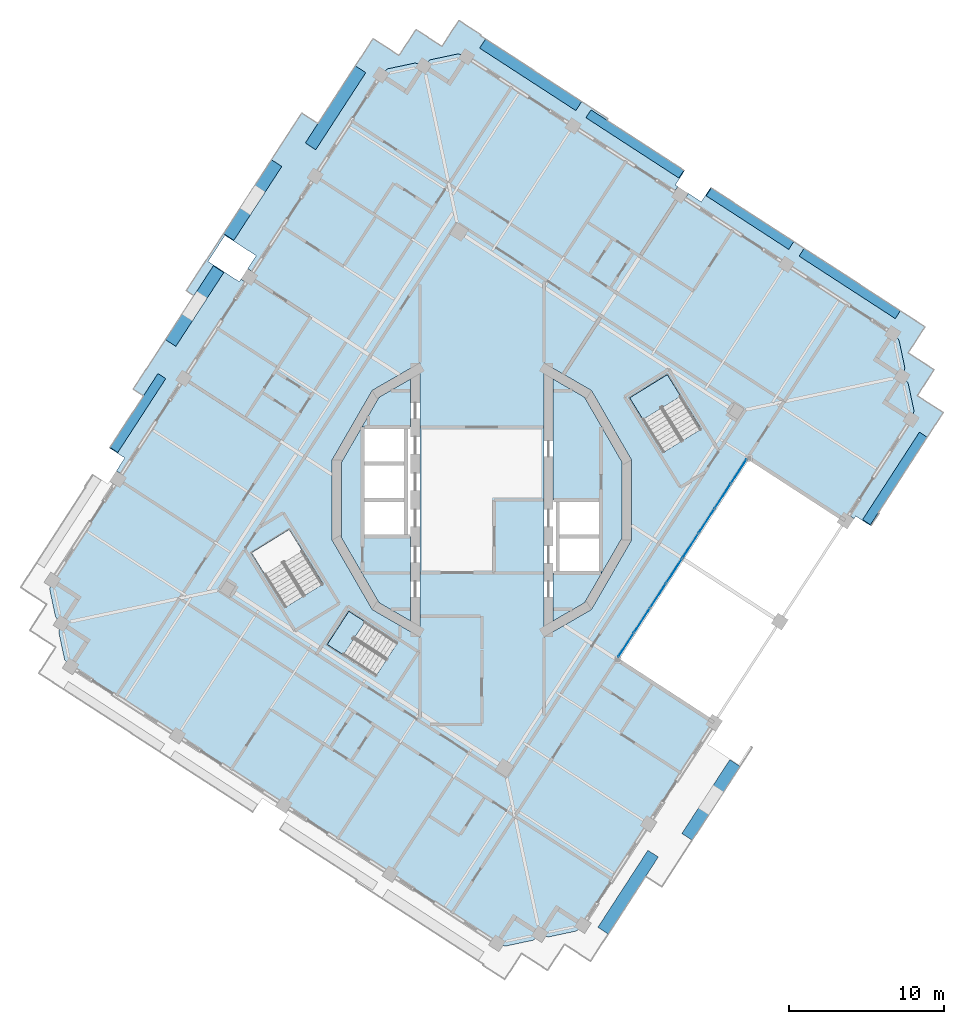
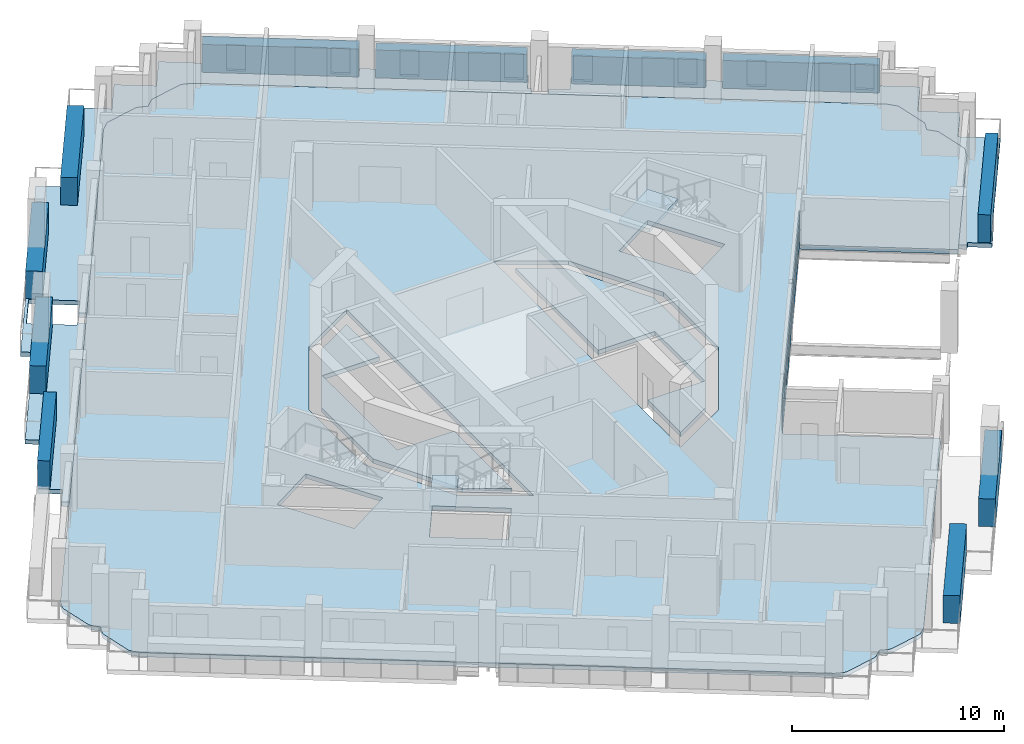
# One storey, part 4 of 17: 27 plates, 7 slabs, 3 elements without a shape of their own.
"""IFC4 building model written with IfcOpenShell, lengths in metres."""

from ifc_helpers import new_model, si_unit, direction, frame, origin, origin_2d, place, context, subcontext, project, spatial, polyline, rectangle, outline, extrude, material, layer, layer_set, type_object, element, aggregate, save


model = new_model("IFC4")

# Units and contexts
model_context = context("Model", 3, precision=1e-05, world=origin(), true_north=direction((0.0, 1.0)))
body_context = subcontext(model_context, "Body", "Model", "MODEL_VIEW")
ifc_project = project(units=[si_unit("LENGTHUNIT", "METRE"), si_unit("AREAUNIT", "SQUARE_METRE"), si_unit("VOLUMEUNIT", "CUBIC_METRE"), si_unit("PLANEANGLEUNIT", "RADIAN"), si_unit("MASSUNIT", "GRAM", prefix="KILO")], contexts=[model_context])

# Site, building, storey
site_placement = place(None, origin())
site = spatial("IfcSite", under=ifc_project, at=site_placement, CompositionType="ELEMENT")
building_placement = place(site_placement, origin())
building = spatial("IfcBuilding", under=site, at=building_placement, Name="Cantera Rosa Tower", CompositionType="ELEMENT")
storey_placement = place(building_placement, frame((0.0, 0.0, 264.89990234375)))
storey = spatial("IfcBuildingStorey", under=building, at=storey_placement, Name="L59", CompositionType="ELEMENT", Elevation=264.89990234375)

# Slabs
ifc_material_1 = material(Name="Concrete C35/45", Category="concrete")
ifc_layer_1 = layer(ifc_material_1, 0.25)
ifc_layer_set_1 = layer_set([ifc_layer_1], Name="COMPOSITE FLOOR SLAB 250 C35/45")
slab_type_1 = type_object("IfcSlabType", Name="COMPOSITE FLOOR SLAB 250 C35/45", PredefinedType="FLOOR", material=ifc_layer_set_1)
slab_1_placement = place(storey_placement, frame((0.0, 0.0, -0.25)))
element("IfcSlab", 1, at=slab_1_placement, inside=storey, type_object=slab_type_1, Name="SLAB L59 floor 1", PredefinedType="FLOOR", context=body_context, shape_type="SweptSolid", body=[
    extrude(outline(polyline([(-7.699951171875, -2.35009765625), (-4.60009765625, -2.35009765625), (-4.60009765625, -7.804931640625), (-6.6318359375, -6.6318359375), (-9.059326171875, -2.427490234375), (-9.059326171875, 2.427490234375), (-6.6318359375, 6.6318359375), (-4.60009765625, 7.804931640625), (-4.60009765625, 4.699951171875), (-7.699951171875, 4.699951171875), (-7.699951171875, 2.35009765625), (-7.699951171875, 0.0), (-7.699951171875, -2.35009765625)])), origin(), (0.0, 0.0, 1.0), 0.25),
])
slab_2_placement = place(storey_placement, frame((0.0, 0.0, -0.25)))
element("IfcSlab", 2, at=slab_2_placement, inside=storey, type_object=slab_type_1, Name="SLAB L59 floor 2", PredefinedType="FLOOR", context=body_context, shape_type="SweptSolid", body=[
    extrude(outline(polyline([(0.982421875, -28.598876953125), (0.106689453125, -28.030029296875), (-25.650146484375, -11.303466796875), (-26.52587890625, -10.734619140625), (-26.852783203125, -10.396240234375), (-26.873046875, -10.374755859375), (-26.890869140625, -10.351318359375), (-26.90625, -10.326416015625), (-26.919189453125, -10.2998046875), (-26.929443359375, -10.272216796875), (-26.93701171875, -10.243896484375), (-27.289794921875, -8.583740234375), (-27.294677734375, -8.5546875), (-27.29638671875, -8.525390625), (-27.29541015625, -8.49609375), (-27.29150390625, -8.466796875), (-27.28466796875, -8.43798828125), (-27.275146484375, -8.410400390625), (-27.114013671875, -7.968017578125), (-27.44091796875, -7.629638671875), (-27.461181640625, -7.608154296875), (-27.47900390625, -7.584716796875), (-27.494384765625, -7.559814453125), (-27.50732421875, -7.533203125), (-27.517578125, -7.505615234375), (-27.525146484375, -7.477294921875), (-27.8779296875, -5.817138671875), (-27.882568359375, -5.7880859375), (-27.884521484375, -5.7587890625), (-27.88330078125, -5.729248046875), (-27.87939453125, -5.7001953125), (-27.872802734375, -5.67138671875), (-27.863037109375, -5.643798828125), (-27.7021484375, -5.201416015625), (-27.13330078125, -4.32568359375), (-7.08447265625, 26.547119140625), (-6.515625, 27.4228515625), (-6.17724609375, 27.749755859375), (-6.15576171875, 27.769775390625), (-6.132080078125, 27.78759765625), (-6.107177734375, 27.802978515625), (-6.080810546875, 27.81591796875), (-6.05322265625, 27.826416015625), (-6.024658203125, 27.833740234375), (-4.36474609375, 28.186767578125), (-4.335693359375, 28.19140625), (-4.306396484375, 28.193115234375), (-4.27685546875, 28.192138671875), (-4.247802734375, 28.188232421875), (-4.218994140625, 28.181396484375), (-4.191162109375, 28.171875), (-3.7490234375, 28.0107421875), (-3.41064453125, 28.337890625), (-3.388916015625, 28.35791015625), (-3.365478515625, 28.375732421875), (-3.340576171875, 28.39111328125), (-3.314208984375, 28.404052734375), (-3.28662109375, 28.414306640625), (-3.258056640625, 28.421875), (-1.59814453125, 28.774658203125), (-1.569091796875, 28.779296875), (-1.539794921875, 28.78125), (-1.51025390625, 28.7802734375), (-1.481201171875, 28.7763671875), (-1.452392578125, 28.76953125), (-1.424560546875, 28.760009765625), (-0.982421875, 28.598876953125), (-0.106689453125, 28.030029296875), (25.650146484375, 11.303466796875), (26.52587890625, 10.734619140625), (26.852783203125, 10.396240234375), (26.873046875, 10.374755859375), (26.890869140625, 10.351318359375), (26.90625, 10.326416015625), (26.919189453125, 10.2998046875), (26.929443359375, 10.272216796875), (26.93701171875, 10.243896484375), (27.289794921875, 8.583740234375), (27.294677734375, 8.5546875), (27.29638671875, 8.525390625), (27.29541015625, 8.49609375), (27.29150390625, 8.466796875), (27.28466796875, 8.43798828125), (27.275146484375, 8.410400390625), (27.114013671875, 7.968017578125), (27.44091796875, 7.629638671875), (27.461181640625, 7.608154296875), (27.47900390625, 7.584716796875), (27.494384765625, 7.559814453125), (27.50732421875, 7.533203125), (27.517578125, 7.505615234375), (27.525146484375, 7.477294921875), (27.8779296875, 5.817138671875), (27.882568359375, 5.7880859375), (27.884521484375, 5.7587890625), (27.88330078125, 5.729248046875), (27.87939453125, 5.7001953125), (27.872802734375, 5.67138671875), (27.863037109375, 5.643798828125), (27.7021484375, 5.201416015625), (27.13330078125, 4.32568359375), (23.46484375, -1.323486328125), (17.1748046875, 2.761474609375), (8.7001953125, -10.288330078125), (14.990234375, -14.373046875), (7.08447265625, -26.547119140625), (6.515625, -27.4228515625), (6.17724609375, -27.749755859375), (6.15576171875, -27.769775390625), (6.132080078125, -27.78759765625), (6.107177734375, -27.802978515625), (6.080810546875, -27.81591796875), (6.05322265625, -27.826416015625), (6.024658203125, -27.833740234375), (4.36474609375, -28.186767578125), (4.335693359375, -28.19140625), (4.306396484375, -28.193115234375), (4.27685546875, -28.192138671875), (4.247802734375, -28.188232421875), (4.218994140625, -28.181396484375), (4.191162109375, -28.171875), (3.7490234375, -28.0107421875), (3.41064453125, -28.337890625), (3.388916015625, -28.35791015625), (3.365478515625, -28.375732421875), (3.340576171875, -28.39111328125), (3.314208984375, -28.404052734375), (3.28662109375, -28.414306640625), (3.258056640625, -28.421875), (1.59814453125, -28.774658203125), (1.569091796875, -28.779296875), (1.539794921875, -28.78125), (1.51025390625, -28.7802734375), (1.481201171875, -28.7763671875), (1.452392578125, -28.76953125), (1.424560546875, -28.760009765625), (0.982421875, -28.598876953125)]), holes=[polyline([(-8.581298828125, -7.1826171875), (-9.97021484375, -9.3212890625), (-6.835205078125, -11.357177734375), (-5.4462890625, -9.218505859375), (-8.581298828125, -7.1826171875)]), polyline([(-12.430908203125, -1.911376953125), (-14.8564453125, -3.407470703125), (-12.68408203125, -6.929443359375), (-10.258544921875, -5.433349609375), (-12.430908203125, -1.911376953125)]), polyline([(-7.071044921875, 7.071044921875), (-9.6591796875, 2.588134765625), (-9.6591796875, -2.588134765625), (-7.071044921875, -7.071044921875), (-4.0, -8.843994140625), (-4.0, 8.843994140625), (-7.071044921875, 7.071044921875)]), polyline([(7.071044921875, -7.071044921875), (9.6591796875, -2.588134765625), (9.6591796875, 2.588134765625), (7.071044921875, 7.071044921875), (4.0, 8.843994140625), (4.0, -8.843994140625), (7.071044921875, -7.071044921875)]), polyline([(14.1416015625, 4.566650390625), (11.96923828125, 8.088623046875), (9.54345703125, 6.592529296875), (11.7158203125, 3.070556640625), (14.1416015625, 4.566650390625)])]), origin(), (0.0, 0.0, 1.0), 0.25),
])
slab_3_placement = place(storey_placement, frame((0.0, 0.0, -0.25)))
element("IfcSlab", 3, at=slab_3_placement, inside=storey, type_object=slab_type_1, Name="SLAB L59 floor 3", PredefinedType="FLOOR", context=body_context, shape_type="SweptSolid", body=[
    extrude(outline(polyline([(7.699951171875, 0.0), (4.60009765625, 0.0), (4.60009765625, 7.804931640625), (6.6318359375, 6.6318359375), (9.059326171875, 2.427490234375), (9.059326171875, -2.427490234375), (6.6318359375, -6.6318359375), (4.60009765625, -7.804931640625), (4.60009765625, -4.699951171875), (7.699951171875, -4.699951171875), (7.699951171875, -2.35009765625), (7.699951171875, 0.0)])), origin(), (0.0, 0.0, 1.0), 0.25),
])

# Curtain wall, plates
ifc_material_2 = material(Name="Aluminium frame with clear glass", Category="aluminium")
curtain_wall_type = type_object("IfcCurtainWallType", Name="CW1 TERRACE POCKET GLAZING", PredefinedType="NOTDEFINED", material=ifc_material_2)
curtain_wall_placement = place(storey_placement, origin())
curtain_wall = element("IfcCurtainWall", 4, at=curtain_wall_placement, inside=storey, type_object=curtain_wall_type, Name="CW1 CW1", PredefinedType="NOTDEFINED")
ifc_material_3 = material(Name="Aluminium frame with clear glass", Category="aluminium")
ifc_layer_2 = layer(ifc_material_3, 0.028076171875)
ifc_layer_set_2 = layer_set([ifc_layer_2], Name="CW-PANEL POCKET")
plate_type_1 = type_object("IfcPlateType", Name="CW-PANEL POCKET", PredefinedType="CURTAIN_PANEL", material=ifc_layer_set_2)
plate_1_placement = place(storey_placement, frame((9.297607421875, -9.368408203125, 0.06005859375), z_axis=(0.0, 0.0, 1.0), x_axis=(0.544639035015, 0.838670567945, 0.0)))
plate_1 = element("IfcPlate", 5, at=plate_1_placement, type_object=plate_type_1, Name="CW1 panel 1.1", PredefinedType="CURTAIN_PANEL", context=body_context, shape_type="SweptSolid", body=[
    extrude(rectangle(XDim=1.82373046875, YDim=0.028076171875, at=origin_2d()), origin(), (0.0, 0.0, 1.0), 0.97412109375),
])
plate_2_placement = place(storey_placement, frame((9.297607421875, -9.368408203125, 1.093994140625), z_axis=(0.0, 0.0, 1.0), x_axis=(0.544639035015, 0.838670567945, 0.0)))
plate_2 = element("IfcPlate", 6, at=plate_2_placement, type_object=plate_type_1, Name="CW1 panel 1.2", PredefinedType="CURTAIN_PANEL", context=body_context, shape_type="SweptSolid", body=[
    extrude(rectangle(XDim=1.82373046875, YDim=0.028076171875, at=origin_2d()), origin(), (0.0, 0.0, 1.0), 0.97412109375),
])
plate_3_placement = place(storey_placement, frame((10.331787109375, -7.77587890625, 0.06005859375), z_axis=(0.0, 0.0, 1.0), x_axis=(0.544639035015, 0.838670567945, 0.0)))
plate_3 = element("IfcPlate", 7, at=plate_3_placement, type_object=plate_type_1, Name="CW1 panel 2.1", PredefinedType="CURTAIN_PANEL", context=body_context, shape_type="SweptSolid", body=[
    extrude(rectangle(XDim=1.853759765625, YDim=0.028076171875, at=origin_2d()), origin(), (0.0, 0.0, 1.0), 0.97412109375),
])
plate_4_placement = place(storey_placement, frame((10.331787109375, -7.77587890625, 1.093994140625), z_axis=(0.0, 0.0, 1.0), x_axis=(0.544639035015, 0.838670567945, 0.0)))
plate_4 = element("IfcPlate", 8, at=plate_4_placement, type_object=plate_type_1, Name="CW1 panel 2.2", PredefinedType="CURTAIN_PANEL", context=body_context, shape_type="SweptSolid", body=[
    extrude(rectangle(XDim=1.853759765625, YDim=0.028076171875, at=origin_2d()), origin(), (0.0, 0.0, 1.0), 0.97412109375),
])
plate_5_placement = place(storey_placement, frame((11.3740234375, -6.1708984375, 0.06005859375), z_axis=(0.0, 0.0, 1.0), x_axis=(0.544639035015, 0.838670567945, 0.0)))
plate_5 = element("IfcPlate", 9, at=plate_5_placement, type_object=plate_type_1, Name="CW1 panel 3.1", PredefinedType="CURTAIN_PANEL", context=body_context, shape_type="SweptSolid", body=[
    extrude(rectangle(XDim=1.853759765625, YDim=0.028076171875, at=origin_2d()), origin(), (0.0, 0.0, 1.0), 0.97412109375),
])
plate_6_placement = place(storey_placement, frame((11.3740234375, -6.1708984375, 1.093994140625), z_axis=(0.0, 0.0, 1.0), x_axis=(0.544639035015, 0.838670567945, 0.0)))
plate_6 = element("IfcPlate", 10, at=plate_6_placement, type_object=plate_type_1, Name="CW1 panel 3.2", PredefinedType="CURTAIN_PANEL", context=body_context, shape_type="SweptSolid", body=[
    extrude(rectangle(XDim=1.853759765625, YDim=0.028076171875, at=origin_2d()), origin(), (0.0, 0.0, 1.0), 0.97412109375),
])
plate_7_placement = place(storey_placement, frame((12.416259765625, -4.56591796875, 0.06005859375), z_axis=(0.0, 0.0, 1.0), x_axis=(0.544639035015, 0.838670567945, 0.0)))
plate_7 = element("IfcPlate", 11, at=plate_7_placement, type_object=plate_type_1, Name="CW1 panel 4.1", PredefinedType="CURTAIN_PANEL", context=body_context, shape_type="SweptSolid", body=[
    extrude(rectangle(XDim=1.853759765625, YDim=0.028076171875, at=origin_2d()), origin(), (0.0, 0.0, 1.0), 0.97412109375),
])
plate_8_placement = place(storey_placement, frame((12.416259765625, -4.56591796875, 1.093994140625), z_axis=(0.0, 0.0, 1.0), x_axis=(0.544639035015, 0.838670567945, 0.0)))
plate_8 = element("IfcPlate", 12, at=plate_8_placement, type_object=plate_type_1, Name="CW1 panel 4.2", PredefinedType="CURTAIN_PANEL", context=body_context, shape_type="SweptSolid", body=[
    extrude(rectangle(XDim=1.853759765625, YDim=0.028076171875, at=origin_2d()), origin(), (0.0, 0.0, 1.0), 0.97412109375),
])
plate_9_placement = place(storey_placement, frame((13.458740234375, -2.9609375, 0.06005859375), z_axis=(0.0, 0.0, 1.0), x_axis=(0.544639035015, 0.838670567945, 0.0)))
plate_9 = element("IfcPlate", 13, at=plate_9_placement, type_object=plate_type_1, Name="CW1 panel 5.1", PredefinedType="CURTAIN_PANEL", context=body_context, shape_type="SweptSolid", body=[
    extrude(rectangle(XDim=1.853759765625, YDim=0.028076171875, at=origin_2d()), origin(), (0.0, 0.0, 1.0), 0.97412109375),
])
plate_10_placement = place(storey_placement, frame((13.458740234375, -2.9609375, 1.093994140625), z_axis=(0.0, 0.0, 1.0), x_axis=(0.544639035015, 0.838670567945, 0.0)))
plate_10 = element("IfcPlate", 14, at=plate_10_placement, type_object=plate_type_1, Name="CW1 panel 5.2", PredefinedType="CURTAIN_PANEL", context=body_context, shape_type="SweptSolid", body=[
    extrude(rectangle(XDim=1.853759765625, YDim=0.028076171875, at=origin_2d()), origin(), (0.0, 0.0, 1.0), 0.97412109375),
])
plate_11_placement = place(storey_placement, frame((14.5009765625, -1.35595703125, 0.06005859375), z_axis=(0.0, 0.0, 1.0), x_axis=(0.544639035015, 0.838670567945, 0.0)))
plate_11 = element("IfcPlate", 15, at=plate_11_placement, type_object=plate_type_1, Name="CW1 panel 6.1", PredefinedType="CURTAIN_PANEL", context=body_context, shape_type="SweptSolid", body=[
    extrude(rectangle(XDim=1.853759765625, YDim=0.028076171875, at=origin_2d()), origin(), (0.0, 0.0, 1.0), 0.97412109375),
])
plate_12_placement = place(storey_placement, frame((14.5009765625, -1.35595703125, 1.093994140625), z_axis=(0.0, 0.0, 1.0), x_axis=(0.544639035015, 0.838670567945, 0.0)))
plate_12 = element("IfcPlate", 16, at=plate_12_placement, type_object=plate_type_1, Name="CW1 panel 6.2", PredefinedType="CURTAIN_PANEL", context=body_context, shape_type="SweptSolid", body=[
    extrude(rectangle(XDim=1.853759765625, YDim=0.028076171875, at=origin_2d()), origin(), (0.0, 0.0, 1.0), 0.97412109375),
])
plate_13_placement = place(storey_placement, frame((15.543212890625, 0.2490234375, 0.06005859375), z_axis=(0.0, 0.0, 1.0), x_axis=(0.544639035015, 0.838670567945, 0.0)))
plate_13 = element("IfcPlate", 17, at=plate_13_placement, type_object=plate_type_1, Name="CW1 panel 7.1", PredefinedType="CURTAIN_PANEL", context=body_context, shape_type="SweptSolid", body=[
    extrude(rectangle(XDim=1.853759765625, YDim=0.028076171875, at=origin_2d()), origin(), (0.0, 0.0, 1.0), 0.97412109375),
])
plate_14_placement = place(storey_placement, frame((15.543212890625, 0.2490234375, 1.093994140625), z_axis=(0.0, 0.0, 1.0), x_axis=(0.544639035015, 0.838670567945, 0.0)))
plate_14 = element("IfcPlate", 18, at=plate_14_placement, type_object=plate_type_1, Name="CW1 panel 7.2", PredefinedType="CURTAIN_PANEL", context=body_context, shape_type="SweptSolid", body=[
    extrude(rectangle(XDim=1.853759765625, YDim=0.028076171875, at=origin_2d()), origin(), (0.0, 0.0, 1.0), 0.97412109375),
])
plate_15_placement = place(storey_placement, frame((16.577392578125, 1.841552734375, 0.06005859375), z_axis=(0.0, 0.0, 1.0), x_axis=(0.544639035015, 0.838670567945, 0.0)))
plate_15 = element("IfcPlate", 19, at=plate_15_placement, type_object=plate_type_1, Name="CW1 panel 8.1", PredefinedType="CURTAIN_PANEL", context=body_context, shape_type="SweptSolid", body=[
    extrude(rectangle(XDim=1.82373046875, YDim=0.028076171875, at=origin_2d()), origin(), (0.0, 0.0, 1.0), 0.97412109375),
])
plate_16_placement = place(storey_placement, frame((16.577392578125, 1.841552734375, 1.093994140625), z_axis=(0.0, 0.0, 1.0), x_axis=(0.544639035015, 0.838670567945, 0.0)))
plate_16 = element("IfcPlate", 20, at=plate_16_placement, type_object=plate_type_1, Name="CW1 panel 8.2", PredefinedType="CURTAIN_PANEL", context=body_context, shape_type="SweptSolid", body=[
    extrude(rectangle(XDim=1.82373046875, YDim=0.028076171875, at=origin_2d()), origin(), (0.0, 0.0, 1.0), 0.97412109375),
])
aggregate(curtain_wall, [plate_1, plate_2, plate_3, plate_4, plate_5, plate_6, plate_7, plate_8, plate_9, plate_10, plate_11, plate_12, plate_13, plate_14, plate_15, plate_16])

# Slabs
ifc_material_4 = material(Name="Concrete C35/45", Category="concrete")
ifc_layer_3 = layer(ifc_material_4, 0.25)
ifc_layer_set_3 = layer_set([ifc_layer_3], Name="LOGGIA SLAB 250 C35/45")
slab_type_2 = type_object("IfcSlabType", Name="LOGGIA SLAB 250 C35/45", PredefinedType="FLOOR", material=ifc_layer_set_3)
slab_4_placement = place(storey_placement, frame((0.0, 0.0, -0.25)))
element("IfcSlab", 21, at=slab_4_placement, inside=storey, type_object=slab_type_2, Name="LOGGIA SLAB L59 2", PredefinedType="FLOOR", context=body_context, shape_type="SweptSolid", body=[
    extrude(outline(polyline([(-18.575927734375, 13.186279296875), (-19.068603515625, 13.506103515625), (-11.619873046875, 24.976318359375), (-10.572998046875, 24.29638671875), (-7.94140625, 28.3486328125), (-7.015380859375, 29.7744140625), (-5.58984375, 28.848388671875), (-5.338134765625, 28.68505859375), (-5.1748046875, 28.936767578125), (-4.248779296875, 30.362548828125), (-2.822998046875, 29.4365234375), (-2.571533203125, 29.273193359375), (-1.482421875, 30.950439453125), (-0.056396484375, 30.024658203125), (-0.0947265625, 29.9658203125), (8.1494140625, 24.612060546875), (8.07861328125, 24.503173828125), (12.330810546875, 21.74169921875), (13.08544921875, 21.251708984375), (12.486328125, 20.3291015625), (12.654296875, 20.22021484375), (12.436279296875, 19.884765625), (-0.106689453125, 28.030029296875), (-0.982421875, 28.598876953125), (-1.424560546875, 28.760009765625), (-1.452392578125, 28.76953125), (-1.481201171875, 28.7763671875), (-1.51025390625, 28.7802734375), (-1.539794921875, 28.78125), (-1.569091796875, 28.779296875), (-1.59814453125, 28.774658203125), (-3.258056640625, 28.421875), (-3.28662109375, 28.414306640625), (-3.314208984375, 28.404052734375), (-3.340576171875, 28.39111328125), (-3.365478515625, 28.375732421875), (-3.388916015625, 28.35791015625), (-3.41064453125, 28.337890625), (-3.7490234375, 28.0107421875), (-4.191162109375, 28.171875), (-4.218994140625, 28.181396484375), (-4.247802734375, 28.188232421875), (-4.27685546875, 28.192138671875), (-4.306396484375, 28.193115234375), (-4.335693359375, 28.19140625), (-4.36474609375, 28.186767578125), (-6.024658203125, 27.833740234375), (-6.05322265625, 27.826416015625), (-6.080810546875, 27.81591796875), (-6.107177734375, 27.802978515625), (-6.132080078125, 27.78759765625), (-6.15576171875, 27.769775390625), (-6.17724609375, 27.749755859375), (-6.515625, 27.4228515625), (-7.08447265625, 26.547119140625), (-14.7724609375, 14.70849609375), (-15.10791015625, 14.926513671875), (-14.563232421875, 15.76513671875), (-16.575927734375, 17.072265625), (-17.665283203125, 15.39501953125), (-15.652587890625, 14.087646484375), (-15.543701171875, 14.255615234375), (-15.2080078125, 14.03759765625), (-23.2470703125, 1.65869140625), (-23.58251953125, 1.876708984375), (-23.037841796875, 2.71533203125), (-24.020263671875, 3.353515625), (-21.831298828125, 6.72412109375), (-22.493408203125, 7.154052734375), (-18.575927734375, 13.186279296875)])), origin(), (0.0, 0.0, 1.0), 0.25),
])
slab_5_placement = place(storey_placement, frame((0.0, 0.0, -0.25)))
element("IfcSlab", 22, at=slab_5_placement, inside=storey, type_object=slab_type_2, Name="LOGGIA SLAB L59 4", PredefinedType="FLOOR", context=body_context, shape_type="SweptSolid", body=[
    extrude(outline(polyline([(21.723876953125, 15.641845703125), (27.343017578125, 11.992919921875), (28.600830078125, 11.17578125), (27.783935546875, 9.917724609375), (27.51171875, 9.49853515625), (27.930908203125, 9.22607421875), (29.18896484375, 8.4091796875), (28.3720703125, 7.151123046875), (28.099609375, 6.731689453125), (28.51904296875, 6.45947265625), (29.777099609375, 5.642578125), (28.960205078125, 4.384521484375), (25.57861328125, -0.822509765625), (25.638671875, -0.861328125), (25.109619140625, -1.676025390625), (24.127197265625, -1.0380859375), (24.01806640625, -1.205810546875), (23.6826171875, -0.98779296875), (27.13330078125, 4.32568359375), (27.7021484375, 5.201416015625), (27.863037109375, 5.643798828125), (27.872802734375, 5.67138671875), (27.87939453125, 5.7001953125), (27.88330078125, 5.729248046875), (27.884521484375, 5.7587890625), (27.882568359375, 5.7880859375), (27.8779296875, 5.817138671875), (27.525146484375, 7.477294921875), (27.517578125, 7.505615234375), (27.50732421875, 7.533203125), (27.494384765625, 7.559814453125), (27.47900390625, 7.584716796875), (27.461181640625, 7.608154296875), (27.44091796875, 7.629638671875), (27.114013671875, 7.968017578125), (27.275146484375, 8.410400390625), (27.28466796875, 8.43798828125), (27.29150390625, 8.466796875), (27.29541015625, 8.49609375), (27.29638671875, 8.525390625), (27.294677734375, 8.5546875), (27.289794921875, 8.583740234375), (26.93701171875, 10.243896484375), (26.929443359375, 10.272216796875), (26.919189453125, 10.2998046875), (26.90625, 10.326416015625), (26.890869140625, 10.351318359375), (26.873046875, 10.374755859375), (26.852783203125, 10.396240234375), (26.52587890625, 10.734619140625), (25.650146484375, 11.303466796875), (13.107421875, 19.448974609375), (13.3251953125, 19.784423828125), (14.163818359375, 19.23974609375), (14.762939453125, 20.162353515625), (14.8466796875, 20.10791015625), (19.207763671875, 17.275634765625), (21.723876953125, 15.641845703125)])), origin(), (0.0, 0.0, 1.0), 0.25),
])

# Plates
ifc_material_5 = material(Name="Cantera stone planter with soil", Category="masonry")
plate_type_2 = type_object("IfcPlateType", Name="PLANTER 600", PredefinedType="USERDEFINED", material=ifc_material_5)
plate_17_placement = place(storey_placement, frame((23.740966796875, 13.97412109375, 0.0), z_axis=(0.0, 0.0, 1.0), x_axis=(-0.838670567945, 0.544639035015, 0.0)))
element("IfcPlate", 23, at=plate_17_placement, inside=storey, type_object=plate_type_2, Name="PLANTER L59-01", ObjectType="PLANTER", PredefinedType="USERDEFINED", context=body_context, shape_type="SweptSolid", body=[
    extrude(rectangle(XDim=7.39990234375, YDim=0.60009765625, at=origin_2d()), origin(), (0.0, 0.0, 1.0), 1.60009765625),
])
plate_18_placement = place(storey_placement, frame((17.30419921875, 18.154296875, 0.0), z_axis=(0.0, 0.0, 1.0), x_axis=(-0.838670567945, 0.544639035015, 0.0)))
element("IfcPlate", 24, at=plate_18_placement, inside=storey, type_object=plate_type_2, Name="PLANTER L59-02", ObjectType="PLANTER", PredefinedType="USERDEFINED", context=body_context, shape_type="SweptSolid", body=[
    extrude(rectangle(XDim=6.35009765625, YDim=0.60009765625, at=origin_2d()), origin(), (0.0, 0.0, 1.0), 1.60009765625),
])
plate_19_placement = place(storey_placement, frame((9.882080078125, 22.974365234375, 0.0), z_axis=(0.0, 0.0, 1.0), x_axis=(-0.838670567945, 0.544639035015, 0.0)))
element("IfcPlate", 25, at=plate_19_placement, inside=storey, type_object=plate_type_2, Name="PLANTER L59-03", ObjectType="PLANTER", PredefinedType="USERDEFINED", context=body_context, shape_type="SweptSolid", body=[
    extrude(rectangle(XDim=7.14990234375, YDim=0.60009765625, at=origin_2d()), origin(), (0.0, 0.0, 1.0), 1.60009765625),
])
plate_20_placement = place(storey_placement, frame((-22.194580078125, 5.61376953125, 0.0), z_axis=(0.0, 0.0, 1.0), x_axis=(-0.544639035015, -0.838670567945, 0.0)))
element("IfcPlate", 26, at=plate_20_placement, inside=storey, type_object=plate_type_2, Name="PLANTER L59-08", ObjectType="PLANTER", PredefinedType="USERDEFINED", context=body_context, shape_type="SweptSolid", body=[
    extrude(rectangle(XDim=5.679931640625, YDim=0.60009765625, at=origin_2d()), origin(), (0.0, 0.0, 1.0), 1.60009765625),
])
plate_21_placement = place(storey_placement, frame((26.657958984375, 1.390380859375, 0.0), z_axis=(0.0, 0.0, 1.0), x_axis=(0.544639035015, 0.838670567945, 0.0)))
element("IfcPlate", 27, at=plate_21_placement, inside=storey, type_object=plate_type_2, Name="PLANTER L59-18", ObjectType="PLANTER", PredefinedType="USERDEFINED", context=body_context, shape_type="SweptSolid", body=[
    extrude(rectangle(XDim=6.72998046875, YDim=0.60009765625, at=origin_2d()), origin(), (0.0, 0.0, 1.0), 1.60009765625),
])
ifc_material_6 = material(Name="Cantera stone planter with soil", Category="masonry")
plate_type_3 = type_object("IfcPlateType", Name="PLANTER 700", PredefinedType="USERDEFINED", material=ifc_material_6)
plate_22_placement = place(storey_placement, frame((3.1533203125, 27.439453125, 0.0), z_axis=(0.0, 0.0, 1.0), x_axis=(-0.838670567945, 0.544639035015, 0.0)))
element("IfcPlate", 28, at=plate_22_placement, inside=storey, type_object=plate_type_3, Name="PLANTER L59-04", ObjectType="PLANTER", PredefinedType="USERDEFINED", context=body_context, shape_type="SweptSolid", body=[
    extrude(rectangle(XDim=7.39990234375, YDim=0.699951171875, at=origin_2d()), origin(), (0.0, 0.0, 1.0), 1.60009765625),
])
ifc_material_7 = material(Name="Cantera stone planter with soil", Category="masonry")
plate_type_4 = type_object("IfcPlateType", Name="PLANTER 800", PredefinedType="USERDEFINED", material=ifc_material_7)
plate_23_placement = place(storey_placement, frame((-9.438720703125, 25.30859375, 0.0), z_axis=(0.0, 0.0, 1.0), x_axis=(-0.544639035015, -0.838670567945, 0.0)))
element("IfcPlate", 29, at=plate_23_placement, inside=storey, type_object=plate_type_4, Name="PLANTER L59-05", ObjectType="PLANTER", PredefinedType="USERDEFINED", context=body_context, shape_type="SweptSolid", body=[
    extrude(rectangle(XDim=5.929931640625, YDim=0.800048828125, at=origin_2d()), origin(), (0.0, 0.0, 1.0), 1.60009765625),
])
for number, where, z_axis, x_axis, name in (
    (30, (-14.790771484375, 19.35888671875, 0.0), (0.0, 0.0, 1.0), (-0.544639035015, -0.838670567945, 0.0), "PLANTER L59-06"),
    (31, (-18.53564453125, 12.51416015625, 0.0), (0.0, 0.0, 1.0), (-0.544639035015, -0.838670567945, 0.0), "PLANTER L59-07"),
):
    element("IfcPlate", number, at=place(storey_placement, frame(where, z_axis=z_axis, x_axis=x_axis)), inside=storey, type_object=plate_type_4, Name=name, ObjectType="PLANTER", PredefinedType="USERDEFINED", context=body_context, shape_type="SweptSolid", body=[
        extrude(rectangle(XDim=5.679931640625, YDim=0.800048828125, at=origin_2d()), origin(), (0.0, 0.0, 1.0), 1.60009765625),
    ])
plate_24_placement = place(storey_placement, frame((9.438720703125, -25.30859375, 0.0), z_axis=(0.0, 0.0, 1.0), x_axis=(0.544639035015, 0.838670567945, 0.0)))
element("IfcPlate", 32, at=plate_24_placement, inside=storey, type_object=plate_type_4, Name="PLANTER L59-14", ObjectType="PLANTER", PredefinedType="USERDEFINED", context=body_context, shape_type="SweptSolid", body=[
    extrude(rectangle(XDim=5.929931640625, YDim=0.800048828125, at=origin_2d()), origin(), (0.0, 0.0, 1.0), 1.60009765625),
])
plate_25_placement = place(storey_placement, frame((14.790771484375, -19.35888671875, 0.0), z_axis=(0.0, 0.0, 1.0), x_axis=(0.544639035015, 0.838670567945, 0.0)))
element("IfcPlate", 33, at=plate_25_placement, inside=storey, type_object=plate_type_4, Name="PLANTER L59-15", ObjectType="PLANTER", PredefinedType="USERDEFINED", context=body_context, shape_type="SweptSolid", body=[
    extrude(rectangle(XDim=5.679931640625, YDim=0.800048828125, at=origin_2d()), origin(), (0.0, 0.0, 1.0), 1.60009765625),
])

# Stair, slab
ifc_material_8 = material(Name="Concrete C35/45", Category="concrete")
stair_type_1 = type_object("IfcStairType", Name="EXIT STAIR 1350 DOGLEG", PredefinedType="HALF_TURN_STAIR", material=ifc_material_8)
stair_1_placement = place(storey_placement, origin())
stair_1 = element("IfcStair", 34, at=stair_1_placement, inside=storey, type_object=stair_type_1, Name="L59 ST-51", PredefinedType="HALF_TURN_STAIR")
ifc_material_9 = material(Name="Concrete C35/45", Category="concrete")
ifc_layer_4 = layer(ifc_material_9, 0.199951171875)
ifc_layer_set_4 = layer_set([ifc_layer_4], Name="STAIR LANDING 200")
slab_type_3 = type_object("IfcSlabType", Name="STAIR LANDING 200", PredefinedType="LANDING", material=ifc_layer_set_4)
slab_6_placement = place(storey_placement, frame((0.0, 0.0, 1.60009765625)))
slab_6 = element("IfcSlab", 35, at=slab_6_placement, type_object=slab_type_3, Name="ST-51 landing 1", PredefinedType="LANDING", context=body_context, shape_type="SweptSolid", body=[
    extrude(outline(polyline([(12.8310546875, 6.691162109375), (11.96923828125, 8.088623046875), (9.54345703125, 6.592529296875), (10.405517578125, 5.19482421875), (12.8310546875, 6.691162109375)])), origin(), (0.0, 0.0, 1.0), 0.199951171875),
])
aggregate(stair_1, [slab_6])

ifc_material_10 = material(Name="Concrete C35/45", Category="concrete")
stair_type_2 = type_object("IfcStairType", Name="EXIT STAIR 1200 DOGLEG", PredefinedType="HALF_TURN_STAIR", material=ifc_material_10)
stair_2_placement = place(storey_placement, origin())
stair_2 = element("IfcStair", 36, at=stair_2_placement, inside=storey, type_object=stair_type_2, Name="L59 ST-53", PredefinedType="HALF_TURN_STAIR")
slab_7_placement = place(storey_placement, frame((0.0, 0.0, 1.60009765625)))
slab_7 = element("IfcSlab", 37, at=slab_7_placement, type_object=slab_type_3, Name="ST-53 landing 1", PredefinedType="LANDING", context=body_context, shape_type="SweptSolid", body=[
    extrude(outline(polyline([(-7.53955078125, -7.859130859375), (-8.581298828125, -7.1826171875), (-9.97021484375, -9.3212890625), (-8.928466796875, -9.997802734375), (-7.53955078125, -7.859130859375)])), origin(), (0.0, 0.0, 1.0), 0.199951171875),
])
aggregate(stair_2, [slab_7])

save(model, "model.ifc")
